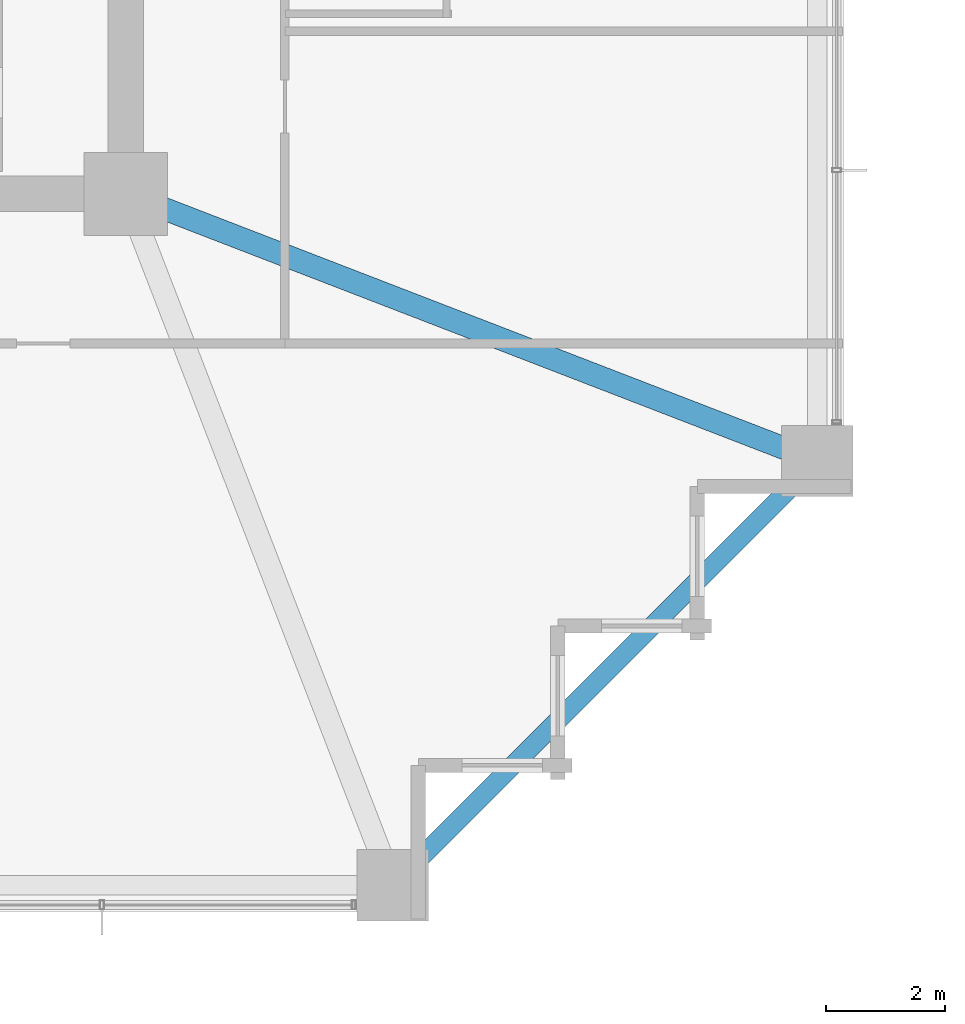
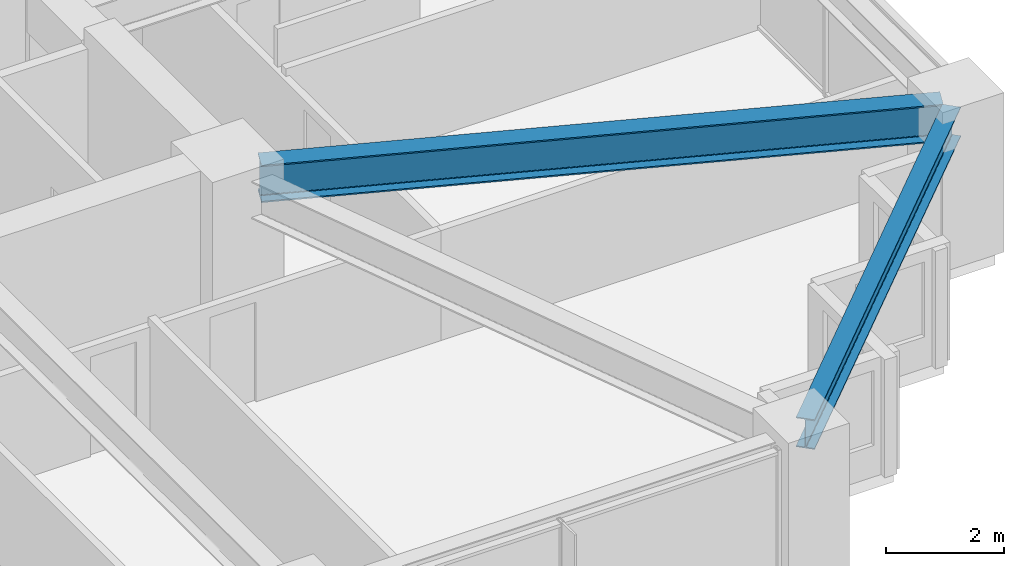
# One storey, part 13 of 38: 2 beams.
"""IFC4 building model written with IfcOpenShell, lengths in metres."""

from ifc_helpers import new_model, si_unit, direction, frame, origin, origin_2d, place, context, subcontext, project, spatial, i_section, extrude, material, material_profile, profile_set, type_object, element, save


model = new_model("IFC4")

# Units and contexts
model_context = context("Model", 3, precision=1e-05, world=origin(), true_north=direction((0.0, 1.0)))
body_context = subcontext(model_context, "Body", "Model", "MODEL_VIEW")
ifc_project = project(units=[si_unit("LENGTHUNIT", "METRE"), si_unit("AREAUNIT", "SQUARE_METRE"), si_unit("VOLUMEUNIT", "CUBIC_METRE"), si_unit("PLANEANGLEUNIT", "RADIAN"), si_unit("MASSUNIT", "GRAM", prefix="KILO")], contexts=[model_context])

# Site, building, storey
site_placement = place(None, origin())
site = spatial("IfcSite", under=ifc_project, at=site_placement, CompositionType="ELEMENT")
building_placement = place(site_placement, origin())
building = spatial("IfcBuilding", under=site, at=building_placement, Name="Kolvaren Belvedere", CompositionType="ELEMENT")
storey_placement = place(building_placement, frame((0.0, 0.0, 53.5)))
storey = spatial("IfcBuildingStorey", under=building, at=storey_placement, Name="L15", CompositionType="ELEMENT", Elevation=53.5)

# Beams
ifc_material_1 = material(Name="Structural steel ASTM A992 Grade 50", Category="steel")
ifc_material_profile_1 = material_profile(ifc_material_1, i_section(OverallWidth=0.381103515625, OverallDepth=0.77294921875, WebThickness=0.0166015625, FlangeThickness=0.027099609375, FilletRadius=0.02392578125, at=origin_2d()), Name="W30X173")
ifc_profile_set_1 = profile_set([ifc_material_profile_1], Name="Structural steel ASTM A992 Grade 50")
beam_type_1 = type_object("IfcBeamType", Name="BM-GIRD-W30X173", PredefinedType="BEAM", material=ifc_profile_set_1)
beam_1_placement = place(storey_placement, frame((10.4130859375, -10.09814453125, 2.673583984375), z_axis=(0.932829382313, -0.360318391835, 0.0), x_axis=(0.360318391835, 0.932829382313, 0.0)))
element("IfcBeam", 1, at=beam_1_placement, inside=storey, type_object=beam_type_1, Name="L15 Corner Core-to-Perimeter Girder CC2-E1", PredefinedType="BEAM", context=body_context, shape_type="SweptSolid", body=[
    extrude(i_section(OverallWidth=0.381103515625, OverallDepth=0.77294921875, WebThickness=0.0166015625, FlangeThickness=0.027099609375, FilletRadius=0.02392578125, at=origin_2d()), origin(), (0.0, 0.0, 1.0), 11.698974609375),
])
ifc_material_2 = material(Name="Structural steel ASTM A992 Grade 50", Category="steel")
ifc_material_profile_2 = material_profile(ifc_material_2, i_section(OverallWidth=0.324951171875, OverallDepth=0.615966796875, WebThickness=0.013916015625, FlangeThickness=0.021484375, FilletRadius=0.02001953125, at=origin_2d()), Name="W24X117")
ifc_profile_set_2 = profile_set([ifc_material_profile_2], Name="Structural steel ASTM A992 Grade 50")
beam_type_2 = type_object("IfcBeamType", Name="BM-SPAN-W24X117", PredefinedType="SPANDREL", material=ifc_profile_set_2)
beam_2_placement = place(storey_placement, frame((14.5908203125, -21.359130859375, 2.751953125), z_axis=(0.707106781187, 0.707106781187, 0.0), x_axis=(-0.707106781187, 0.707106781187, 0.0)))
element("IfcBeam", 2, at=beam_2_placement, inside=storey, type_object=beam_type_2, Name="L15 Perimeter Spandrel S4-E1", PredefinedType="SPANDREL", context=body_context, shape_type="SweptSolid", body=[
    extrude(i_section(OverallWidth=0.324951171875, OverallDepth=0.615966796875, WebThickness=0.013916015625, FlangeThickness=0.021484375, FilletRadius=0.02001953125, at=origin_2d()), origin(), (0.0, 0.0, 1.0), 9.57177734375),
])

save(model, "model.ifc")
